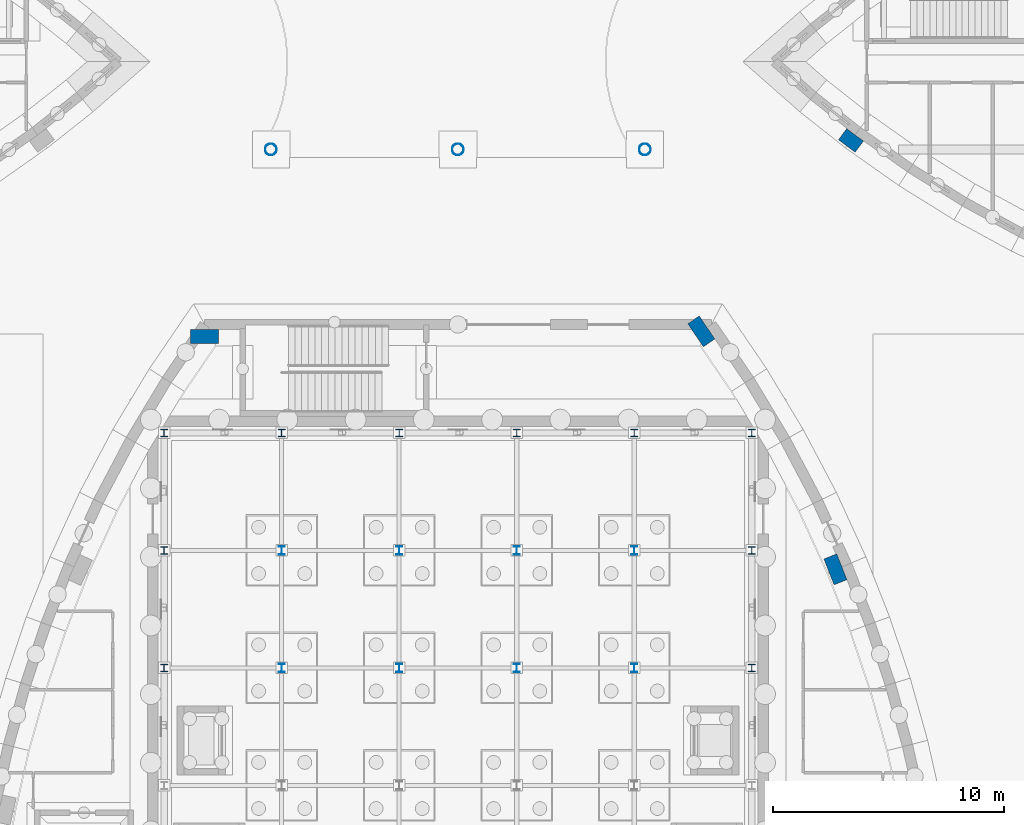
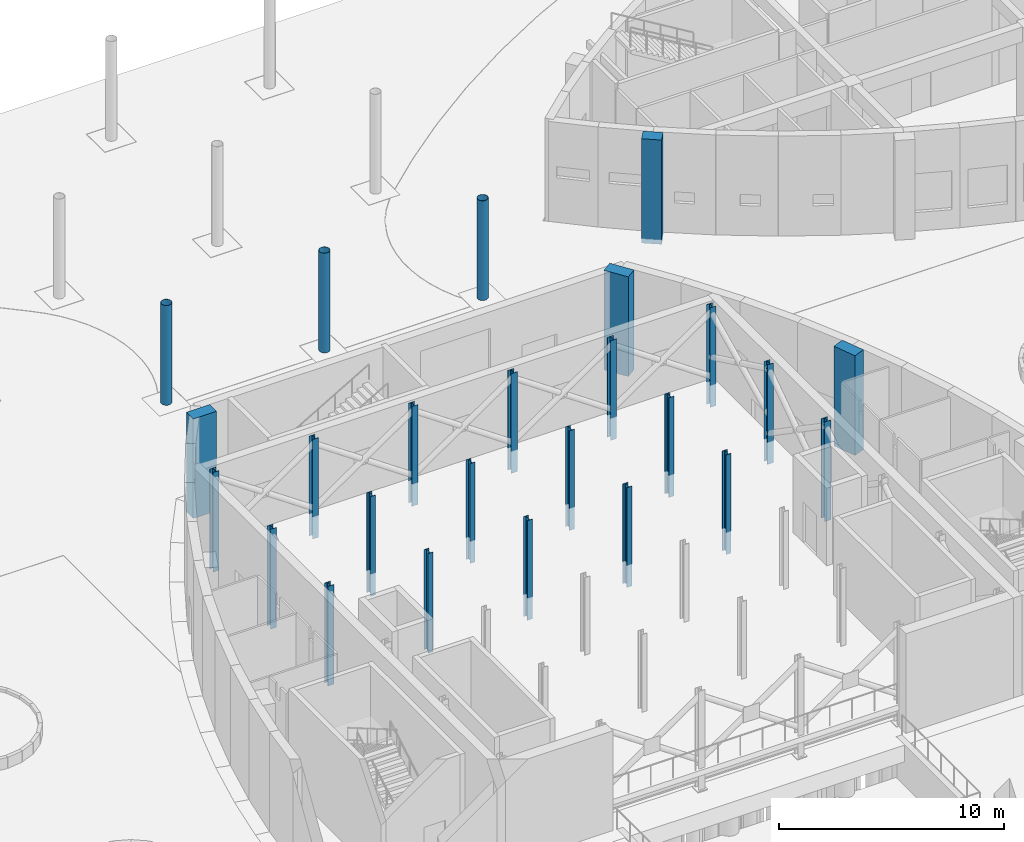
# One storey, part 14 of 82: 25 columns.
"""IFC4 building model written with IfcOpenShell, lengths in metres."""

import ifcopenshell
import ifcopenshell.guid

model = None  # the IFC model being written
_history = None  # IfcOwnerHistory: only IFC2X3 demands one
_inside = {}  # id of a spatial element -> (the spatial element, [elements in it])
_under = {}  # id of a project, library or spatial element -> (it, [spatial elements below it])
_declared = {}  # id of a project -> (the project, [libraries it declares])
_typed = {}  # id of a type object -> (the type object, [elements of that type])
_made_of = {}  # id of a material, layer set ... -> (it, [elements and type objects made of it])


def new_model(schema):
    """Start an empty IFC model of exactly this schema.

    Asked for "IFC4X3", IfcOpenShell would pick the latest addendum, in which some entities
    have other attributes; the version numbers below select the first issue.
    IFC2X3 requires an IfcOwnerHistory on every rooted entity: one is made here for all.
    """
    global model, _history
    if schema == "IFC4X3":
        model = ifcopenshell.file(schema_version=(4, 3, 0, 0))
    else:
        model = ifcopenshell.file(schema=schema)
    _inside.clear()
    _under.clear()
    _declared.clear()
    _typed.clear()
    _made_of.clear()
    _history = None
    if model.schema == "IFC2X3":
        org = make("IfcOrganization", Name="unknown")
        user = make(
            "IfcPersonAndOrganization",
            ThePerson=make("IfcPerson", FamilyName="unknown"),
            TheOrganization=org,
        )
        app = make(
            "IfcApplication",
            ApplicationDeveloper=org,
            Version="unknown",
            ApplicationFullName="unknown",
            ApplicationIdentifier="unknown",
        )
        _history = make(
            "IfcOwnerHistory",
            OwningUser=user,
            OwningApplication=app,
            ChangeAction="ADDED",
            CreationDate=0,
        )
    return model


def make(cls, **values):
    """One entity of the class cls with the attributes given. An attribute that is None is left unset."""
    return model.create_entity(
        cls, **{name: value for name, value in values.items() if value is not None}
    )


def rooted(cls, **values):
    """An entity with a GlobalId (a new one), such as an element, a storey or a relation."""
    return make(cls, GlobalId=ifcopenshell.guid.new(), OwnerHistory=_history, **values)


def si_unit(unit_type, name, prefix=None):
    """IfcSIUnit, for example si_unit("LENGTHUNIT", "METRE", prefix="MILLI")."""
    return make("IfcSIUnit", UnitType=unit_type, Prefix=prefix, Name=name)


def assignment(units):
    """IfcUnitAssignment: the units of a project."""
    return None if units is None else make("IfcUnitAssignment", Units=units)


def point(xyz):
    """IfcCartesianPoint."""
    return None if xyz is None else make("IfcCartesianPoint", Coordinates=xyz)


def direction(xyz):
    """IfcDirection."""
    return None if xyz is None else make("IfcDirection", DirectionRatios=xyz)


def frame(location, z_axis=None, x_axis=None):
    """IfcAxis2Placement3D, a coordinate frame: its origin and axes. An axis left out is left unset."""
    return make(
        "IfcAxis2Placement3D",
        Location=point(location),
        Axis=direction(z_axis),
        RefDirection=direction(x_axis),
    )


def frame_2d(location, x_axis=None):
    """IfcAxis2Placement2D, a coordinate frame in the plane: its origin and x axis."""
    return make(
        "IfcAxis2Placement2D", Location=point(location), RefDirection=direction(x_axis)
    )


def origin():
    """The frame at (0, 0, 0) with its axes left unset."""
    return frame((0.0, 0.0, 0.0))


def origin_2d():
    """The frame at (0, 0) in the plane with its x axis left unset."""
    return frame_2d((0.0, 0.0))


def place(relative_to, where):
    """IfcLocalPlacement: puts the frame where relative to a parent placement (None: the world)."""
    return make(
        "IfcLocalPlacement", PlacementRelTo=relative_to, RelativePlacement=where
    )


def context(
    kind, dimensions, precision=None, world=None, true_north=None, identifier=None
):
    """IfcGeometricRepresentationContext, for example the 3D "Model" context."""
    return make(
        "IfcGeometricRepresentationContext",
        ContextIdentifier=identifier,
        ContextType=kind,
        CoordinateSpaceDimension=dimensions,
        Precision=precision,
        WorldCoordinateSystem=world,
        TrueNorth=true_north,
    )


def subcontext(parent, identifier, kind, view, scale=None):
    """IfcGeometricRepresentationSubContext, for example "Body" below "Model"."""
    return make(
        "IfcGeometricRepresentationSubContext",
        ContextIdentifier=identifier,
        ContextType=kind,
        ParentContext=parent,
        TargetScale=scale,
        TargetView=view,
    )


def project(units=None, contexts=None):
    """IfcProject with its units and contexts."""
    return rooted(
        "IfcProject",
        Name="project",
        RepresentationContexts=contexts,
        UnitsInContext=assignment(units),
    )


def spatial(cls, under=None, at=None, **own):
    """A site, building, storey or space (cls), placed at a placement, below another one or the project."""
    s = rooted(cls, ObjectPlacement=at, **own)
    if under is not None:
        _under.setdefault(under.id(), (under, []))[1].append(s)
    return s


def profile(cls, at=None, kind="AREA", **sizes):
    """A parametric profile (cls). Its sizes go by their IFC names, for example OverallWidth=200.0."""
    return make(cls, ProfileType=kind, Position=at, **sizes)


def rectangle(**sizes):
    """IfcRectangleProfileDef."""
    return profile("IfcRectangleProfileDef", **sizes)


def hollow_circle(**sizes):
    """IfcCircleHollowProfileDef."""
    return profile("IfcCircleHollowProfileDef", **sizes)


def i_section(**sizes):
    """IfcIShapeProfileDef."""
    return profile("IfcIShapeProfileDef", **sizes)


def extrude(swept, where, along, depth):
    """IfcExtrudedAreaSolid: the profile swept, set in the frame where, extruded along a direction by depth."""
    return make(
        "IfcExtrudedAreaSolid",
        SweptArea=swept,
        Position=where,
        ExtrudedDirection=direction(along),
        Depth=depth,
    )


def shape(context_of_items, identifier, shape_type, items):
    """IfcShapeRepresentation: the items that make up one representation, for example the "Body"."""
    return make(
        "IfcShapeRepresentation",
        ContextOfItems=context_of_items,
        RepresentationIdentifier=identifier,
        RepresentationType=shape_type,
        Items=items,
    )


def material(Name=None, Category=None):
    """IfcMaterial."""
    return make("IfcMaterial", Name=Name, Category=Category)


def material_profile(
    of_material, cross_section, Name=None, Category=None, Priority=None
):
    """IfcMaterialProfile: a cross section and its material."""
    return make(
        "IfcMaterialProfile",
        Name=Name,
        Material=of_material,
        Profile=cross_section,
        Priority=Priority,
        Category=Category,
    )


def profile_set(profiles, Name=None, composite=None):
    """IfcMaterialProfileSet."""
    return make(
        "IfcMaterialProfileSet",
        Name=Name,
        MaterialProfiles=profiles,
        CompositeProfile=composite,
    )


def made_of(thing, what):
    """Note that an element or type object is made of a material, layer set ...; save() writes the relation."""
    if what is not None:
        _made_of.setdefault(what.id(), (what, []))[1].append(thing)
    return thing


def type_object(cls, material=None, **own):
    """A type object (cls), such as IfcWallType, which elements share."""
    return made_of(rooted(cls, **own), material)


def element(
    cls,
    number,
    at=None,
    inside=None,
    cuts=None,
    type_object=None,
    material=None,
    context=None,
    identifier="Body",
    shape_type=None,
    held_by="IfcProductDefinitionShape",
    body=None,
    shapes=None,
    **own,
):
    """One element of the class cls, such as IfcWall. Its Tag is "e" and its number.

    at: its placement. inside: the storey or other place that contains it. cuts: it is an
    opening in that element (IfcRelVoidsElement). A single representation is given by context,
    identifier, shape_type and body (its items); several are given by shapes. held_by: the class
    of the entity that holds the representations. save() writes the other relations.
    """
    e = rooted(cls, Tag="e%d" % number, ObjectPlacement=at, **own)
    if body is not None:
        shapes = [shape(context, identifier, shape_type, body)]
    if shapes is not None:
        e.Representation = make(held_by, Representations=shapes)
    if inside is not None:
        _inside.setdefault(inside.id(), (inside, []))[1].append(e)
    if cuts is not None:
        rooted(
            "IfcRelVoidsElement", RelatingBuildingElement=cuts, RelatedOpeningElement=e
        )
    if type_object is not None:
        _typed.setdefault(type_object.id(), (type_object, []))[1].append(e)
    return made_of(e, material)


def aggregate(whole, parts):
    """IfcRelAggregates: a whole, such as a stair, and the parts it consists of."""
    return rooted("IfcRelAggregates", RelatingObject=whole, RelatedObjects=parts)


def save(model, path):
    """Write the relations noted so far, then the file.

    IfcRelAggregates (storeys below a building ...), IfcRelContainedInSpatialStructure (elements
    in a storey), IfcRelDefinesByType, IfcRelAssociatesMaterial and IfcRelDeclares: one each for
    every whole, place, type object, material and project.
    """
    for whole, parts in _under.values():
        aggregate(whole, parts)
    for where, things in _inside.values():
        rooted(
            "IfcRelContainedInSpatialStructure",
            RelatedElements=things,
            RelatingStructure=where,
        )
    for kind, things in _typed.values():
        rooted("IfcRelDefinesByType", RelatedObjects=things, RelatingType=kind)
    for what, things in _made_of.values():
        rooted("IfcRelAssociatesMaterial", RelatedObjects=things, RelatingMaterial=what)
    for by, libraries in _declared.values():
        rooted("IfcRelDeclares", RelatingContext=by, RelatedDefinitions=libraries)
    model.write(path)


model = new_model("IFC4")

# Units and contexts
model_context = context("Model", 3, precision=1e-05, world=origin(), true_north=direction((0.0, 1.0)))
body_context = subcontext(model_context, "Body", "Model", "MODEL_VIEW")
ifc_project = project(units=[si_unit("LENGTHUNIT", "METRE"), si_unit("AREAUNIT", "SQUARE_METRE"), si_unit("VOLUMEUNIT", "CUBIC_METRE"), si_unit("PLANEANGLEUNIT", "RADIAN"), si_unit("MASSUNIT", "GRAM", prefix="KILO")], contexts=[model_context])

# Site, building, storey
site_placement = place(None, origin())
site = spatial("IfcSite", under=ifc_project, at=site_placement, CompositionType="ELEMENT")
building_placement = place(site_placement, origin())
building = spatial("IfcBuilding", under=site, at=building_placement, Name="Tide Square Theatres", CompositionType="ELEMENT")
storey_placement = place(building_placement, origin())
storey = spatial("IfcBuildingStorey", under=building, at=storey_placement, Name="L00", CompositionType="ELEMENT", Elevation=0.0)

# Columns
ifc_material_1 = material(Name="Concrete C40", Category="concrete")
ifc_material_profile_1 = material_profile(ifc_material_1, rectangle(XDim=1.199951171875, YDim=0.60009765625, at=origin_2d()))
ifc_profile_set_1 = profile_set([ifc_material_profile_1], Name="Concrete C40")
column_type_1 = type_object("IfcColumnType", Name="RC pier 1200 x 600", PredefinedType="PILASTER", material=ifc_profile_set_1)
for number, where, z_axis, x_axis, name in (
    (1, (100.348876953125, 75.814208984375, 0.0), (0.0, 0.0, 1.0), (-0.366955870742, 0.930238350601, 0.0), "Rib foot pier"),
    (2, (94.5400390625, 86.121826171875, 0.0), (0.0, 0.0, 1.0), (-0.562978035902, 0.82647185741, 0.0), "Rib foot pier"),
    (3, (73.02587890625, 85.892333984375, 0.0), (0.0, 0.0, 1.0), (-1.0, 0.0, 0.0), "Rib foot pier"),
):
    element("IfcColumn", number, at=place(storey_placement, frame(where, z_axis=z_axis, x_axis=x_axis)), inside=storey, type_object=column_type_1, Name=name, PredefinedType="PILASTER", context=body_context, shape_type="SweptSolid", body=[
        extrude(rectangle(XDim=1.199951171875, YDim=0.60009765625, at=origin_2d()), origin(), (0.0, 0.0, 1.0), 5.39990234375),
    ])
ifc_material_2 = material(Name="Concrete C40", Category="concrete")
ifc_material_profile_2 = material_profile(ifc_material_2, rectangle(XDim=0.89990234375, YDim=0.60009765625, at=origin_2d()))
ifc_profile_set_2 = profile_set([ifc_material_profile_2], Name="Concrete C40")
column_type_2 = type_object("IfcColumnType", Name="RC pier 900 x 600", PredefinedType="PILASTER", material=ifc_profile_set_2)
column_placement = place(storey_placement, frame((101.02099609375, 94.390625, -0.25), z_axis=(0.0, 0.0, 1.0), x_axis=(0.80192785119, -0.597420891403, 0.0)))
element("IfcColumn", 4, at=column_placement, inside=storey, type_object=column_type_2, Name="Rehearsal Block rib pier 1", PredefinedType="PILASTER", context=body_context, shape_type="SweptSolid", body=[
    extrude(rectangle(XDim=0.89990234375, YDim=0.60009765625, at=origin_2d()), origin(), (0.0, 0.0, 1.0), 5.64990234375),
])
ifc_material_3 = material(Name="Steel ASTM A500 Grade C", Category="steel")
ifc_material_profile_3 = material_profile(ifc_material_3, hollow_circle(Radius=0.25390625, WallThickness=0.012451171875, at=origin_2d()))
ifc_profile_set_3 = profile_set([ifc_material_profile_3], Name="Steel ASTM A500 Grade C")
column_type_3 = type_object("IfcColumnType", Name="Steel column CHS 508.0 x 12.5", PredefinedType="COLUMN", material=ifc_profile_set_3)
for number, where, z_axis, x_axis, name in (
    (5, (75.89990234375, 94.0, 0.0), (0.0, 0.0, 1.0), (1.0, 0.0, 0.0), "Scenery dock canopy column"),
    (6, (84.0, 94.0, 0.0), (0.0, 0.0, 1.0), (1.0, 0.0, 0.0), "Scenery dock canopy column"),
    (7, (92.10009765625, 94.0, 0.0), (0.0, 0.0, 1.0), (1.0, 0.0, 0.0), "Scenery dock canopy column"),
):
    element("IfcColumn", number, at=place(storey_placement, frame(where, z_axis=z_axis, x_axis=x_axis)), inside=storey, type_object=column_type_3, Name=name, PredefinedType="COLUMN", context=body_context, shape_type="SweptSolid", body=[
        extrude(hollow_circle(Radius=0.25390625, WallThickness=0.012451171875, at=origin_2d()), origin(), (0.0, 0.0, 1.0), 5.39990234375),
    ])
ifc_material_4 = material(Name="Steel ASTM A572 Grade 50", Category="steel")
ifc_material_profile_4 = material_profile(ifc_material_4, i_section(OverallWidth=0.31201171875, OverallDepth=0.31201171875, WebThickness=0.017333984375, FlangeThickness=0.017333984375, FilletRadius=0.01611328125, at=origin_2d()))
ifc_profile_set_4 = profile_set([ifc_material_profile_4], Name="Steel ASTM A572 Grade 50")
column_type_4 = type_object("IfcColumnType", Name="Steel column HP 310 x 125.0", PredefinedType="COLUMN", material=ifc_profile_set_4)
for number, where, z_axis, x_axis, name in (
    (8, (71.27587890625, 71.544921875, 0.0), (0.0, 0.0, 1.0), (1.0, 0.0, 0.0), "Fly tower column"),
    (9, (71.27587890625, 76.634521484375, 0.0), (0.0, 0.0, 1.0), (1.0, 0.0, 0.0), "Fly tower column"),
    (10, (71.27587890625, 81.72412109375, 0.0), (0.0, 0.0, 1.0), (1.0, 0.0, 0.0), "Fly tower column"),
    (11, (76.365478515625, 81.72412109375, 0.0), (0.0, 0.0, 1.0), (1.0, 0.0, 0.0), "Fly tower column"),
    (12, (81.455078125, 81.72412109375, 0.0), (0.0, 0.0, 1.0), (1.0, 0.0, 0.0), "Fly tower column"),
    (13, (86.544921875, 81.72412109375, 0.0), (0.0, 0.0, 1.0), (1.0, 0.0, 0.0), "Fly tower column"),
    (14, (91.634521484375, 81.72412109375, 0.0), (0.0, 0.0, 1.0), (1.0, 0.0, 0.0), "Fly tower column"),
    (15, (96.72412109375, 71.544921875, 0.0), (0.0, 0.0, 1.0), (1.0, 0.0, 0.0), "Fly tower column"),
    (16, (96.72412109375, 76.634521484375, 0.0), (0.0, 0.0, 1.0), (1.0, 0.0, 0.0), "Fly tower column"),
    (17, (96.72412109375, 81.72412109375, 0.0), (0.0, 0.0, 1.0), (1.0, 0.0, 0.0), "Fly tower column"),
):
    element("IfcColumn", number, at=place(storey_placement, frame(where, z_axis=z_axis, x_axis=x_axis)), inside=storey, type_object=column_type_4, Name=name, PredefinedType="COLUMN", context=body_context, shape_type="SweptSolid", body=[
        extrude(i_section(OverallWidth=0.31201171875, OverallDepth=0.31201171875, WebThickness=0.017333984375, FlangeThickness=0.017333984375, FilletRadius=0.01611328125, at=origin_2d()), origin(), (0.0, 0.0, 1.0), 5.39990234375),
    ])
ifc_material_5 = material(Name="Steel ASTM A572 Grade 50", Category="steel")
ifc_material_profile_5 = material_profile(ifc_material_5, i_section(OverallWidth=0.257080078125, OverallDepth=0.363037109375, WebThickness=0.012939453125, FlangeThickness=0.021728515625, FilletRadius=0.01611328125, at=origin_2d()))
ifc_profile_set_5 = profile_set([ifc_material_profile_5], Name="Steel ASTM A572 Grade 50")
column_type_5 = type_object("IfcColumnType", Name="Steel column W 360 x 122.0", PredefinedType="COLUMN", material=ifc_profile_set_5)
for number, where, z_axis, x_axis, name in (
    (18, (76.365478515625, 71.544921875, 0.0), (0.0, 0.0, 1.0), (1.0, 0.0, 0.0), "Fly tower column"),
    (19, (76.365478515625, 76.634521484375, 0.0), (0.0, 0.0, 1.0), (1.0, 0.0, 0.0), "Fly tower column"),
    (20, (81.455078125, 71.544921875, 0.0), (0.0, 0.0, 1.0), (1.0, 0.0, 0.0), "Fly tower column"),
    (21, (81.455078125, 76.634521484375, 0.0), (0.0, 0.0, 1.0), (1.0, 0.0, 0.0), "Fly tower column"),
    (22, (86.544921875, 71.544921875, 0.0), (0.0, 0.0, 1.0), (1.0, 0.0, 0.0), "Fly tower column"),
    (23, (86.544921875, 76.634521484375, 0.0), (0.0, 0.0, 1.0), (1.0, 0.0, 0.0), "Fly tower column"),
    (24, (91.634521484375, 71.544921875, 0.0), (0.0, 0.0, 1.0), (1.0, 0.0, 0.0), "Fly tower column"),
    (25, (91.634521484375, 76.634521484375, 0.0), (0.0, 0.0, 1.0), (1.0, 0.0, 0.0), "Fly tower column"),
):
    element("IfcColumn", number, at=place(storey_placement, frame(where, z_axis=z_axis, x_axis=x_axis)), inside=storey, type_object=column_type_5, Name=name, PredefinedType="COLUMN", context=body_context, shape_type="SweptSolid", body=[
        extrude(i_section(OverallWidth=0.257080078125, OverallDepth=0.363037109375, WebThickness=0.012939453125, FlangeThickness=0.021728515625, FilletRadius=0.01611328125, at=origin_2d()), origin(), (0.0, 0.0, 1.0), 5.39990234375),
    ])

save(model, "model.ifc")
